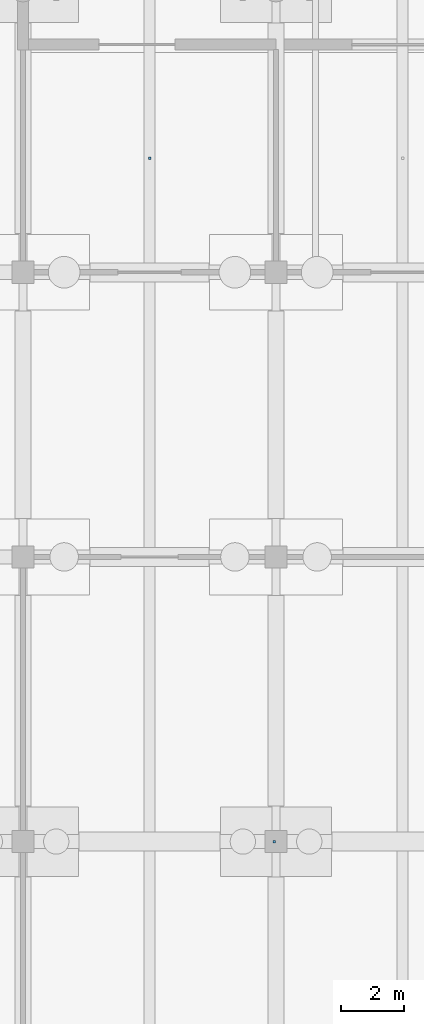
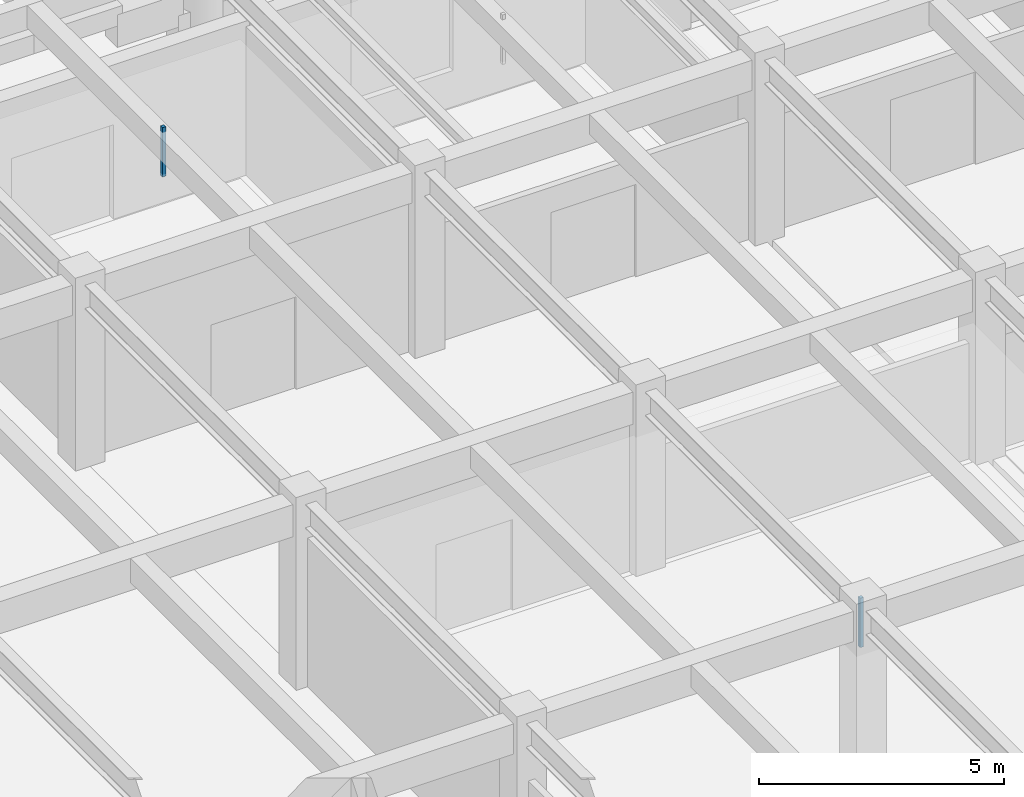
# One storey, part 123 of 147: 2 discrete accessories.
"""IFC4 building model written with IfcOpenShell, lengths in metres."""

from ifc_helpers import new_model, si_unit, direction, frame, origin, origin_2d, place, context, subcontext, project, spatial, rectangle, extrude, material, layer, layer_set, type_object, element, save


model = new_model("IFC4")

# Units and contexts
model_context = context("Model", 3, precision=1e-05, world=origin(), true_north=direction((0.0, 1.0)))
body_context = subcontext(model_context, "Body", "Model", "MODEL_VIEW")
ifc_project = project(units=[si_unit("LENGTHUNIT", "METRE"), si_unit("AREAUNIT", "SQUARE_METRE"), si_unit("VOLUMEUNIT", "CUBIC_METRE"), si_unit("PLANEANGLEUNIT", "RADIAN"), si_unit("MASSUNIT", "GRAM", prefix="KILO")], contexts=[model_context])

# Site, building, storey
site_placement = place(None, origin())
site = spatial("IfcSite", under=ifc_project, at=site_placement, CompositionType="ELEMENT")
building_placement = place(site_placement, origin())
building = spatial("IfcBuilding", under=site, at=building_placement, Name="Varnabhumi Central Station", CompositionType="ELEMENT")
storey_placement = place(building_placement, origin())
storey = spatial("IfcBuildingStorey", under=building, at=storey_placement, Name="L00", CompositionType="ELEMENT", Elevation=0.0)

# Discrete accessories
ifc_material = material(Name="Structural steel E350", Category="steel")
ifc_layer = layer(ifc_material, 0.159912109375, Name="Structural steel E350", Category="steel")
ifc_layer_set = layer_set([ifc_layer], Name="Structural steel E350")
discrete_accessory_type = type_object("IfcDiscreteAccessoryType", Name="ACC-SHADE-BRKT", PredefinedType="BRACKET", material=ifc_layer_set)
for number, where, z_axis, x_axis, name in (
    (1, (108.0, 110.60009765625, 3.43994140625), (0.0, 0.0, 1.0), (1.0, 0.0, 0.0), "Travel Retail Shop 02 Ceiling Hanger"),
    (2, (111.949951171875, 89.0, 3.43994140625), (0.0, 0.0, 1.0), (1.0, 0.0, 0.0), "Forecourt Espresso and Snack Bar Ceiling Hanger"),
):
    element("IfcDiscreteAccessory", number, at=place(storey_placement, frame(where, z_axis=z_axis, x_axis=x_axis)), inside=storey, type_object=discrete_accessory_type, Name=name, PredefinedType="BRACKET", context=body_context, shape_type="SweptSolid", body=[
        extrude(rectangle(XDim=0.080078125, YDim=0.080078125, at=origin_2d()), origin(), (0.0, 0.0, 1.0), 1.22998046875),
    ])

save(model, "model.ifc")
